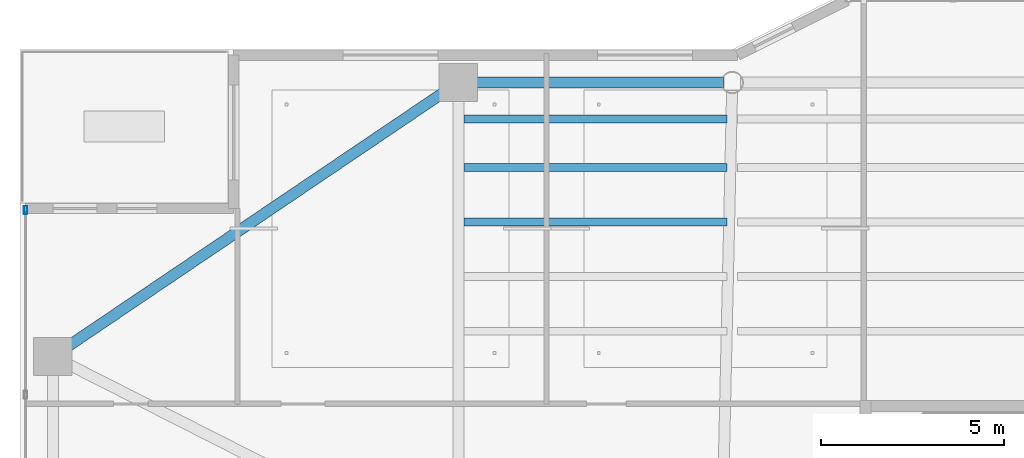
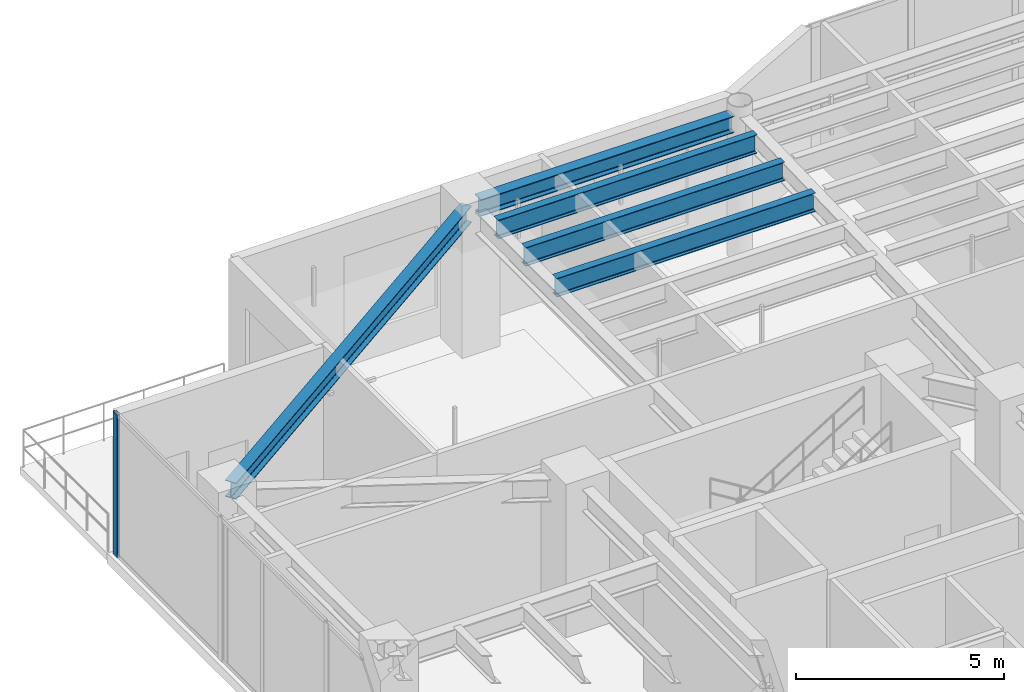
# One storey, part 21 of 38: 5 beams, 1 member, 1 element without a shape of its own.
"""IFC4 building model written with IfcOpenShell, lengths in metres."""

from ifc_helpers import new_model, si_unit, direction, frame, origin, origin_2d, place, context, subcontext, project, spatial, hollow_rectangle, i_section, extrude, material, layer, layer_set, material_profile, profile_set, type_object, element, aggregate, save


model = new_model("IFC4")

# Units and contexts
model_context = context("Model", 3, precision=1e-05, world=origin(), true_north=direction((0.0, 1.0)))
body_context = subcontext(model_context, "Body", "Model", "MODEL_VIEW")
ifc_project = project(units=[si_unit("LENGTHUNIT", "METRE"), si_unit("AREAUNIT", "SQUARE_METRE"), si_unit("VOLUMEUNIT", "CUBIC_METRE"), si_unit("PLANEANGLEUNIT", "RADIAN"), si_unit("MASSUNIT", "GRAM", prefix="KILO")], contexts=[model_context])

# Site, building, storey
site_placement = place(None, origin())
site = spatial("IfcSite", under=ifc_project, at=site_placement, CompositionType="ELEMENT")
building_placement = place(site_placement, origin())
building = spatial("IfcBuilding", under=site, at=building_placement, Name="Tarnavaz Court Tower", CompositionType="ELEMENT")
storey_placement = place(building_placement, frame((0.0, 0.0, 123.0)))
storey = spatial("IfcBuildingStorey", under=building, at=storey_placement, Name="L33", CompositionType="ELEMENT", Elevation=123.0)

# Beams
ifc_material_1 = material(Name="Steel S355", Category="steel")
ifc_material_profile_1 = material_profile(ifc_material_1, i_section(OverallWidth=0.2099609375, OverallDepth=0.550048828125, WebThickness=0.010986328125, FlangeThickness=0.01708984375, FilletRadius=0.02392578125, at=origin_2d()), Name="IPE 550")
ifc_profile_set_1 = profile_set([ifc_material_profile_1], Name="Steel S355")
beam_type_1 = type_object("IfcBeamType", Name="BM-J-IPE550", PredefinedType="JOIST", material=ifc_profile_set_1)
for number, where, z_axis, x_axis, name in (
    (1, (-14.85009765625, 17.48193359375, 3.925048828125), (1.0, 0.0, 0.0), (0.0, 1.0, 0.0), "L33 Beam JN3-1"),
    (2, (-14.85009765625, 18.97607421875, 3.925048828125), (1.0, 0.0, 0.0), (0.0, 1.0, 0.0), "L33 Beam JN4-1"),
    (3, (-14.85009765625, 20.303955078125, 3.925048828125), (1.0, 0.0, 0.0), (0.0, 1.0, 0.0), "L33 Beam JN5-1"),
):
    element("IfcBeam", number, at=place(storey_placement, frame(where, z_axis=z_axis, x_axis=x_axis)), inside=storey, type_object=beam_type_1, Name=name, PredefinedType="JOIST", context=body_context, shape_type="SweptSolid", body=[
        extrude(i_section(OverallWidth=0.2099609375, OverallDepth=0.550048828125, WebThickness=0.010986328125, FlangeThickness=0.01708984375, FilletRadius=0.02392578125, at=origin_2d()), origin(), (0.0, 0.0, 1.0), 7.2001953125),
    ])
ifc_material_profile_2 = material_profile(ifc_material_1, i_section(OverallWidth=0.300048828125, OverallDepth=0.489990234375, WebThickness=0.011962890625, FlangeThickness=0.02294921875, FilletRadius=0.027099609375, at=origin_2d()), Name="HEA 500")
ifc_profile_set_2 = profile_set([ifc_material_profile_2], Name="Steel S355")
beam_type_2 = type_object("IfcBeamType", Name="BM-SP-HEA500", PredefinedType="SPANDREL", material=ifc_profile_set_2)
beam_1_placement = place(storey_placement, frame((-14.780029296875, 21.300048828125, 3.955078125), z_axis=(1.0, 0.0, 0.0), x_axis=(0.0, 1.0, 0.0)))
element("IfcBeam", 4, at=beam_1_placement, inside=storey, type_object=beam_type_2, Name="L33 Beam PR-PN-1-PN-2", PredefinedType="SPANDREL", context=body_context, shape_type="SweptSolid", body=[
    extrude(i_section(OverallWidth=0.300048828125, OverallDepth=0.489990234375, WebThickness=0.011962890625, FlangeThickness=0.02294921875, FilletRadius=0.027099609375, at=origin_2d()), origin(), (0.0, 0.0, 1.0), 7.06005859375),
])
beam_2_placement = place(storey_placement, frame((-25.917724609375, 13.923095703125, 3.955078125), z_axis=(0.828587314918, 0.559859858854, 0.0), x_axis=(-0.559859858854, 0.828587314918, 0.0)))
element("IfcBeam", 5, at=beam_2_placement, inside=storey, type_object=beam_type_2, Name="L33 Beam PR-PW-4-PN-1", PredefinedType="SPANDREL", context=body_context, shape_type="SweptSolid", body=[
    extrude(i_section(OverallWidth=0.300048828125, OverallDepth=0.489990234375, WebThickness=0.011962890625, FlangeThickness=0.02294921875, FilletRadius=0.027099609375, at=origin_2d()), origin(), (0.0, 0.0, 1.0), 12.956298828125),
])

# Curtain wall, member
ifc_material_2 = material(Name="Anodised Aluminium 6063-T6 and Solar Low-E Glazing", Category="aluminium")
ifc_layer = layer(ifc_material_2, 0.199951171875)
ifc_layer_set = layer_set([ifc_layer], Name="Anodised Aluminium 6063-T6 and Solar Low-E Glazing")
curtain_wall_type = type_object("IfcCurtainWallType", Name="CW-SYS-05", PredefinedType="NOTDEFINED", material=ifc_layer_set)
curtain_wall_placement = place(storey_placement, origin())
curtain_wall = element("IfcCurtainWall", 6, at=curtain_wall_placement, inside=storey, type_object=curtain_wall_type, Name="L33 Sky-Portal Curtain Wall 2", PredefinedType="NOTDEFINED")
ifc_material_3 = material(Name="Anodised Aluminium 6063-T6", Category="aluminium")
ifc_material_profile_3 = material_profile(ifc_material_3, hollow_rectangle(XDim=0.0849609375, YDim=0.219970703125, WallThickness=0.006103515625, InnerFilletRadius=0.006103515625, OuterFilletRadius=0.011962890625, at=origin_2d()), Name="ALU RHS 220X85X6")
ifc_profile_set_3 = profile_set([ifc_material_profile_3], Name="Anodised Aluminium 6063-T6")
member_type = type_object("IfcMemberType", Name="CW-MUL-220", PredefinedType="MULLION", material=ifc_profile_set_3)
member_placement = place(storey_placement, frame((-26.85009765625, 17.8076171875, 0.0), z_axis=(0.0, 0.0, 1.0), x_axis=(-1.0, 0.0, 0.0)))
member = element("IfcMember", 7, at=member_placement, type_object=member_type, Name="CW mullion 8", PredefinedType="MULLION", context=body_context, shape_type="SweptSolid", body=[
    extrude(hollow_rectangle(XDim=0.0849609375, YDim=0.219970703125, WallThickness=0.006103515625, InnerFilletRadius=0.006103515625, OuterFilletRadius=0.011962890625, at=origin_2d()), origin(), (0.0, 0.0, 1.0), 4.199951171875),
])
aggregate(curtain_wall, [member])

save(model, "model.ifc")
